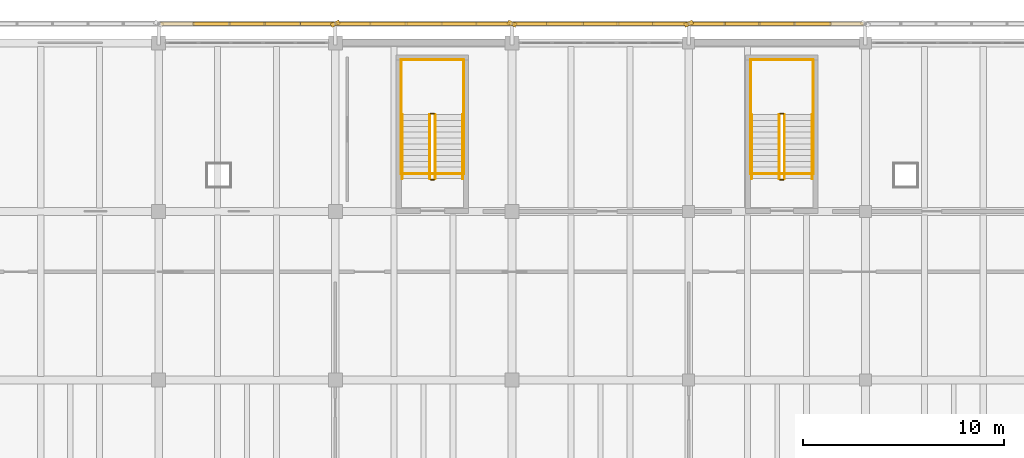
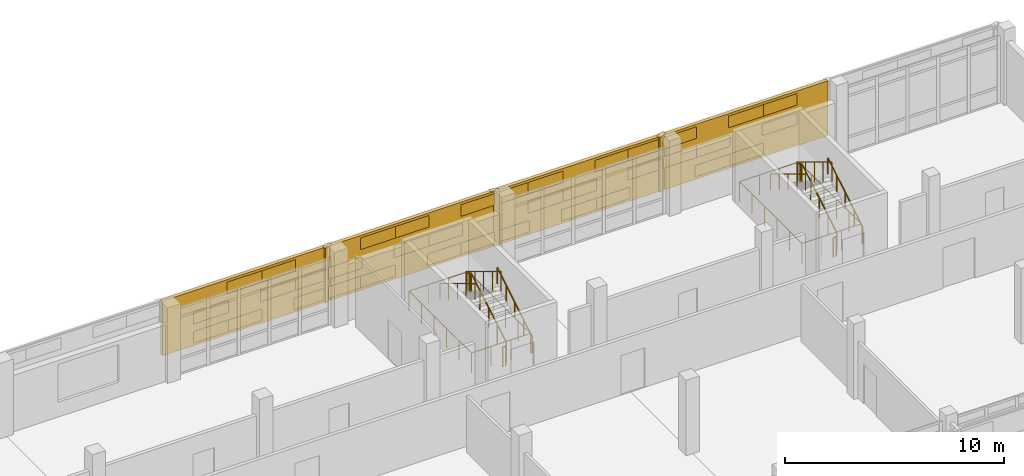
# One storey, part 134 of 137: 39 coverings, 20 railings, 4 shading devices.
"""IFC4 building model written with IfcOpenShell, lengths in metres."""

from ifc_helpers import new_model, si_unit, direction, frame, origin, origin_2d, place, context, subcontext, project, spatial, rectangle, circle, extrude, material, layer, layer_set, type_object, element, save


model = new_model("IFC4")

# Units and contexts
model_context = context("Model", 3, precision=1e-05, world=origin(), true_north=direction((0.0, 1.0)))
body_context = subcontext(model_context, "Body", "Model", "MODEL_VIEW")
ifc_project = project(units=[si_unit("LENGTHUNIT", "METRE"), si_unit("AREAUNIT", "SQUARE_METRE"), si_unit("VOLUMEUNIT", "CUBIC_METRE"), si_unit("PLANEANGLEUNIT", "RADIAN"), si_unit("MASSUNIT", "GRAM", prefix="KILO")], contexts=[model_context])

# Site, building, storey
site_placement = place(None, origin())
site = spatial("IfcSite", under=ifc_project, at=site_placement, CompositionType="ELEMENT")
building_placement = place(site_placement, origin())
building = spatial("IfcBuilding", under=site, at=building_placement, Name="Cinderway Yard Community Centre", CompositionType="ELEMENT")
storey_placement = place(building_placement, frame((0.0, 0.0, 4.800048828125)))
storey = spatial("IfcBuildingStorey", under=building, at=storey_placement, Name="L01", CompositionType="ELEMENT", Elevation=4.800048828125)

# Coverings
ifc_material_1 = material(Name="Brick Masonry", Category="masonry")
ifc_layer = layer(ifc_material_1, 0.18994140625, Name="Brick Masonry")
ifc_layer_set = layer_set([ifc_layer], Name="Brick Masonry")
covering_type = type_object("IfcCoveringType", Name="ENV-COV-BRK-SCREEN", PredefinedType="CLADDING", material=ifc_layer_set)
for number, where, z_axis, x_axis, name in (
    (1, (110.39990234375, 116.14990234375, 0.64990234375), (0.0, 0.0, 1.0), (0.913545457643, 0.406736643076, 0.0), "Deconstructivist folded brick fin 0009"),
    (2, (119.199951171875, 116.14990234375, 0.64990234375), (0.0, 0.0, 1.0), (0.913545457643, -0.406736643076, 0.0), "Deconstructivist folded brick fin 0010"),
    (3, (128.0, 116.14990234375, 0.64990234375), (0.0, 0.0, 1.0), (0.913545457643, 0.406736643076, 0.0), "Deconstructivist folded brick fin 0011"),
):
    element("IfcCovering", number, at=place(storey_placement, frame(where, z_axis=z_axis, x_axis=x_axis)), inside=storey, type_object=covering_type, Name=name, PredefinedType="CLADDING", context=body_context, shape_type="SweptSolid", body=[
        extrude(rectangle(XDim=0.4599609375, YDim=0.199951171875, at=origin_2d()), origin(), (0.0, 0.0, 1.0), 3.050048828125),
    ])
for number, where, z_axis, x_axis, name in (
    (4, (104.239990234375, 116.14990234375, 0.7900390625), (0.0, 0.0, 1.0), (1.0, 0.0, 0.0), "Open-bond perforated brick screen course 00084"),
    (5, (106.0, 116.14990234375, 0.7900390625), (0.0, 0.0, 1.0), (1.0, 0.0, 0.0), "Open-bond perforated brick screen course 00085"),
    (6, (109.52001953125, 116.14990234375, 0.7900390625), (0.0, 0.0, 1.0), (1.0, 0.0, 0.0), "Open-bond perforated brick screen course 00086"),
    (7, (104.239990234375, 116.14990234375, 1.85205078125), (0.0, 0.0, 1.0), (1.0, 0.0, 0.0), "Open-bond perforated brick screen course 00088"),
    (8, (107.760009765625, 116.14990234375, 1.85205078125), (0.0, 0.0, 1.0), (1.0, 0.0, 0.0), "Open-bond perforated brick screen course 00089"),
    (9, (109.52001953125, 116.14990234375, 1.85205078125), (0.0, 0.0, 1.0), (1.0, 0.0, 0.0), "Open-bond perforated brick screen course 00090"),
    (10, (106.0, 116.14990234375, 2.9140625), (0.0, 0.0, 1.0), (1.0, 0.0, 0.0), "Open-bond perforated brick screen course 00092"),
    (11, (107.760009765625, 116.14990234375, 2.9140625), (0.0, 0.0, 1.0), (1.0, 0.0, 0.0), "Open-bond perforated brick screen course 00093"),
    (12, (111.280029296875, 116.14990234375, 0.7900390625), (0.0, 0.0, 1.0), (1.0, 0.0, 0.0), "Open-bond perforated brick screen course 00094"),
    (13, (113.0400390625, 116.14990234375, 0.7900390625), (0.0, 0.0, 1.0), (1.0, 0.0, 0.0), "Open-bond perforated brick screen course 00095"),
    (14, (116.56005859375, 116.14990234375, 0.7900390625), (0.0, 0.0, 1.0), (1.0, 0.0, 0.0), "Open-bond perforated brick screen course 00096"),
    (15, (118.320068359375, 116.14990234375, 0.7900390625), (0.0, 0.0, 1.0), (1.0, 0.0, 0.0), "Open-bond perforated brick screen course 00097"),
    (16, (111.280029296875, 116.14990234375, 1.85205078125), (0.0, 0.0, 1.0), (1.0, 0.0, 0.0), "Open-bond perforated brick screen course 00098"),
    (17, (114.800048828125, 116.14990234375, 1.85205078125), (0.0, 0.0, 1.0), (1.0, 0.0, 0.0), "Open-bond perforated brick screen course 00099"),
    (18, (116.56005859375, 116.14990234375, 1.85205078125), (0.0, 0.0, 1.0), (1.0, 0.0, 0.0), "Open-bond perforated brick screen course 00100"),
    (19, (113.0400390625, 116.14990234375, 2.9140625), (0.0, 0.0, 1.0), (1.0, 0.0, 0.0), "Open-bond perforated brick screen course 00101"),
    (20, (114.800048828125, 116.14990234375, 2.9140625), (0.0, 0.0, 1.0), (1.0, 0.0, 0.0), "Open-bond perforated brick screen course 00102"),
    (21, (118.320068359375, 116.14990234375, 2.9140625), (0.0, 0.0, 1.0), (1.0, 0.0, 0.0), "Open-bond perforated brick screen course 00103"),
    (22, (120.080078125, 116.14990234375, 0.7900390625), (0.0, 0.0, 1.0), (1.0, 0.0, 0.0), "Open-bond perforated brick screen course 00104"),
    (23, (123.60009765625, 116.14990234375, 0.7900390625), (0.0, 0.0, 1.0), (1.0, 0.0, 0.0), "Open-bond perforated brick screen course 00105"),
    (24, (125.360107421875, 116.14990234375, 0.7900390625), (0.0, 0.0, 1.0), (1.0, 0.0, 0.0), "Open-bond perforated brick screen course 00106"),
    (25, (121.840087890625, 116.14990234375, 1.85205078125), (0.0, 0.0, 1.0), (1.0, 0.0, 0.0), "Open-bond perforated brick screen course 00107"),
    (26, (123.60009765625, 116.14990234375, 1.85205078125), (0.0, 0.0, 1.0), (1.0, 0.0, 0.0), "Open-bond perforated brick screen course 00108"),
    (27, (127.1201171875, 116.14990234375, 1.85205078125), (0.0, 0.0, 1.0), (1.0, 0.0, 0.0), "Open-bond perforated brick screen course 00109"),
    (28, (120.080078125, 116.14990234375, 2.9140625), (0.0, 0.0, 1.0), (1.0, 0.0, 0.0), "Open-bond perforated brick screen course 00110"),
    (29, (121.840087890625, 116.14990234375, 2.9140625), (0.0, 0.0, 1.0), (1.0, 0.0, 0.0), "Open-bond perforated brick screen course 00111"),
    (30, (125.360107421875, 116.14990234375, 2.9140625), (0.0, 0.0, 1.0), (1.0, 0.0, 0.0), "Open-bond perforated brick screen course 00112"),
    (31, (127.1201171875, 116.14990234375, 2.9140625), (0.0, 0.0, 1.0), (1.0, 0.0, 0.0), "Open-bond perforated brick screen course 00113"),
    (32, (130.639892578125, 116.14990234375, 0.7900390625), (0.0, 0.0, 1.0), (1.0, 0.0, 0.0), "Open-bond perforated brick screen course 00114"),
    (33, (132.39990234375, 116.14990234375, 0.7900390625), (0.0, 0.0, 1.0), (1.0, 0.0, 0.0), "Open-bond perforated brick screen course 00115"),
    (34, (128.8798828125, 116.14990234375, 1.85205078125), (0.0, 0.0, 1.0), (1.0, 0.0, 0.0), "Open-bond perforated brick screen course 00117"),
    (35, (130.639892578125, 116.14990234375, 1.85205078125), (0.0, 0.0, 1.0), (1.0, 0.0, 0.0), "Open-bond perforated brick screen course 00118"),
    (36, (134.159912109375, 116.14990234375, 1.85205078125), (0.0, 0.0, 1.0), (1.0, 0.0, 0.0), "Open-bond perforated brick screen course 00119"),
    (37, (128.8798828125, 116.14990234375, 2.9140625), (0.0, 0.0, 1.0), (1.0, 0.0, 0.0), "Open-bond perforated brick screen course 00121"),
    (38, (132.39990234375, 116.14990234375, 2.9140625), (0.0, 0.0, 1.0), (1.0, 0.0, 0.0), "Open-bond perforated brick screen course 00122"),
    (39, (134.159912109375, 116.14990234375, 2.9140625), (0.0, 0.0, 1.0), (1.0, 0.0, 0.0), "Open-bond perforated brick screen course 00123"),
):
    element("IfcCovering", number, at=place(storey_placement, frame(where, z_axis=z_axis, x_axis=x_axis)), inside=storey, type_object=covering_type, Name=name, PredefinedType="CLADDING", context=body_context, shape_type="SweptSolid", body=[
        extrude(rectangle(XDim=1.840087890625, YDim=0.18994140625, at=origin_2d()), origin(), (0.0, 0.0, 1.0), 0.64599609375),
    ])

# Shading devices
shading_device_type = type_object("IfcShadingDeviceType", Name="ENV-SHD-BRICKSCREEN-A", PredefinedType="USERDEFINED", material=ifc_material_1)
for number, where, z_axis, x_axis, name in (
    (40, (106.0, 116.14990234375, 0.64990234375), (0.0, 0.0, 1.0), (1.0, 0.0, 0.0), "Street Perforated Brick Screen 0065"),
    (41, (114.800048828125, 116.14990234375, 0.64990234375), (0.0, 0.0, 1.0), (1.0, 0.0, 0.0), "Street Perforated Brick Screen 0073"),
    (42, (123.60009765625, 116.14990234375, 0.64990234375), (0.0, 0.0, 1.0), (1.0, 0.0, 0.0), "Street Perforated Brick Screen 0081"),
    (43, (132.39990234375, 116.14990234375, 0.64990234375), (0.0, 0.0, 1.0), (1.0, 0.0, 0.0), "Street Perforated Brick Screen 0089"),
):
    element("IfcShadingDevice", number, at=place(storey_placement, frame(where, z_axis=z_axis, x_axis=x_axis)), inside=storey, type_object=shading_device_type, Name=name, ObjectType="PERFORATED BRICK SCREEN", PredefinedType="USERDEFINED", context=body_context, shape_type="SweptSolid", body=[
        extrude(rectangle(XDim=8.60009765625, YDim=0.18994140625, at=origin_2d()), origin(), (0.0, 0.0, 1.0), 3.050048828125),
    ])

# Railings
ifc_material_2 = material(Name="Painted Galvanised Steel", Category="steel")
railing_type_1 = type_object("IfcRailingType", Name="INT-RAL-GRD112", PredefinedType="GUARDRAIL", material=ifc_material_2)
railing_1_placement = place(storey_placement, frame((115.3701171875, 108.429931640625, 0.175048828125)))
element("IfcRailing", 44, at=railing_1_placement, inside=storey, type_object=railing_type_1, Name="L01 ST-03 stair guard 1", PredefinedType="GUARDRAIL", context=body_context, shape_type="SweptSolid", body=[
    extrude(circle(Radius=0.02392578125, at=origin_2d()), frame((0.0, 0.0, 1.076171875), z_axis=(0.0, 0.856224141417, 0.516604509905), x_axis=(-1.0, 0.0, 0.0)), (0.0, 0.0, 1.0), 3.725830078125),
    extrude(circle(Radius=0.02099609375, at=origin_2d()), origin(), (0.0, 0.0, 1.0), 1.052001953125),
    extrude(circle(Radius=0.02099609375, at=origin_2d()), frame((0.0, 0.797607421875, 0.481201171875)), (0.0, 0.0, 1.0), 1.052001953125),
    extrude(circle(Radius=0.02099609375, at=origin_2d()), frame((0.0, 1.59521484375, 0.96240234375)), (0.0, 0.0, 1.0), 1.052001953125),
    extrude(circle(Radius=0.02099609375, at=origin_2d()), frame((0.0, 2.392578125, 1.443603515625)), (0.0, 0.0, 1.0), 1.052001953125),
    extrude(circle(Radius=0.02099609375, at=origin_2d()), frame((0.0, 3.190185546875, 1.9248046875)), (0.0, 0.0, 1.0), 1.052001953125),
])
railing_2_placement = place(storey_placement, frame((115.320068359375, 111.669921875, 2.099853515625)))
element("IfcRailing", 45, at=railing_2_placement, inside=storey, type_object=railing_type_1, Name="L01 ST-03 stair guard 2", PredefinedType="GUARDRAIL", context=body_context, shape_type="SweptSolid", body=[
    extrude(circle(Radius=0.02392578125, at=origin_2d()), frame((0.0, 0.0, 1.076171875), z_axis=(-1.0, 0.0, 0.0), x_axis=(0.0, -1.0, 0.0)), (0.0, 0.0, 1.0), 0.16015625),
    extrude(circle(Radius=0.02099609375, at=origin_2d()), origin(), (0.0, 0.0, 1.0), 1.052001953125),
    extrude(circle(Radius=0.02099609375, at=origin_2d()), frame((-0.16015625, 0.0, 0.0)), (0.0, 0.0, 1.0), 1.052001953125),
])
railing_3_placement = place(storey_placement, frame((115.110107421875, 111.6201171875, 2.27490234375)))
element("IfcRailing", 46, at=railing_3_placement, inside=storey, type_object=railing_type_1, Name="L01 ST-03 stair guard 3", PredefinedType="GUARDRAIL", context=body_context, shape_type="SweptSolid", body=[
    extrude(circle(Radius=0.02392578125, at=origin_2d()), frame((0.0, 0.0, 1.076171875), z_axis=(0.0, -0.856195157123, 0.516652545643), x_axis=(1.0, 0.0, 0.0)), (0.0, 0.0, 1.0), 3.72607421875),
    extrude(circle(Radius=0.02099609375, at=origin_2d()), origin(), (0.0, 0.0, 1.0), 1.052001953125),
    extrude(circle(Radius=0.02099609375, at=origin_2d()), frame((0.0, -0.797607421875, 0.481201171875)), (0.0, 0.0, 1.0), 1.052001953125),
    extrude(circle(Radius=0.02099609375, at=origin_2d()), frame((0.0, -1.59521484375, 0.96240234375)), (0.0, 0.0, 1.0), 1.052001953125),
    extrude(circle(Radius=0.02099609375, at=origin_2d()), frame((0.0, -2.392578125, 1.44384765625)), (0.0, 0.0, 1.0), 1.052001953125),
    extrude(circle(Radius=0.02099609375, at=origin_2d()), frame((0.0, -3.190185546875, 1.925048828125)), (0.0, 0.0, 1.0), 1.052001953125),
])
railing_4_placement = place(storey_placement, frame((115.320068359375, 108.3798828125, 0.0)))
element("IfcRailing", 47, at=railing_4_placement, inside=storey, type_object=railing_type_1, Name="L01 ST-03 stair guard 4", PredefinedType="GUARDRAIL", context=body_context, shape_type="SweptSolid", body=[
    extrude(circle(Radius=0.02392578125, at=origin_2d()), frame((0.0, 0.0, 1.076171875), z_axis=(-1.0, 0.0, 0.0), x_axis=(0.0, -1.0, 0.0)), (0.0, 0.0, 1.0), 0.16015625),
    extrude(circle(Radius=0.02099609375, at=origin_2d()), origin(), (0.0, 0.0, 1.0), 1.052001953125),
    extrude(circle(Radius=0.02099609375, at=origin_2d()), frame((-0.16015625, 0.0, 0.0)), (0.0, 0.0, 1.0), 1.052001953125),
])
railing_5_placement = place(storey_placement, frame((132.77001953125, 108.429931640625, 0.175048828125)))
element("IfcRailing", 48, at=railing_5_placement, inside=storey, type_object=railing_type_1, Name="L01 ST-04 stair guard 1", PredefinedType="GUARDRAIL", context=body_context, shape_type="SweptSolid", body=[
    extrude(circle(Radius=0.02392578125, at=origin_2d()), frame((0.0, 0.0, 1.076171875), z_axis=(0.0, 0.856224141417, 0.516604509905), x_axis=(-1.0, 0.0, 0.0)), (0.0, 0.0, 1.0), 3.725830078125),
    extrude(circle(Radius=0.02099609375, at=origin_2d()), origin(), (0.0, 0.0, 1.0), 1.052001953125),
    extrude(circle(Radius=0.02099609375, at=origin_2d()), frame((0.0, 0.797607421875, 0.481201171875)), (0.0, 0.0, 1.0), 1.052001953125),
    extrude(circle(Radius=0.02099609375, at=origin_2d()), frame((0.0, 1.59521484375, 0.96240234375)), (0.0, 0.0, 1.0), 1.052001953125),
    extrude(circle(Radius=0.02099609375, at=origin_2d()), frame((0.0, 2.392578125, 1.443603515625)), (0.0, 0.0, 1.0), 1.052001953125),
    extrude(circle(Radius=0.02099609375, at=origin_2d()), frame((0.0, 3.190185546875, 1.9248046875)), (0.0, 0.0, 1.0), 1.052001953125),
])
railing_6_placement = place(storey_placement, frame((132.719970703125, 111.669921875, 2.099853515625)))
element("IfcRailing", 49, at=railing_6_placement, inside=storey, type_object=railing_type_1, Name="L01 ST-04 stair guard 2", PredefinedType="GUARDRAIL", context=body_context, shape_type="SweptSolid", body=[
    extrude(circle(Radius=0.02392578125, at=origin_2d()), frame((0.0, 0.0, 1.076171875), z_axis=(-1.0, 0.0, 0.0), x_axis=(0.0, -1.0, 0.0)), (0.0, 0.0, 1.0), 0.159912109375),
    extrude(circle(Radius=0.02099609375, at=origin_2d()), origin(), (0.0, 0.0, 1.0), 1.052001953125),
    extrude(circle(Radius=0.02099609375, at=origin_2d()), frame((-0.159912109375, 0.0, 0.0)), (0.0, 0.0, 1.0), 1.052001953125),
])
railing_7_placement = place(storey_placement, frame((132.510009765625, 111.6201171875, 2.27490234375)))
element("IfcRailing", 50, at=railing_7_placement, inside=storey, type_object=railing_type_1, Name="L01 ST-04 stair guard 3", PredefinedType="GUARDRAIL", context=body_context, shape_type="SweptSolid", body=[
    extrude(circle(Radius=0.02392578125, at=origin_2d()), frame((0.0, 0.0, 1.076171875), z_axis=(0.0, -0.856195157123, 0.516652545643), x_axis=(1.0, 0.0, 0.0)), (0.0, 0.0, 1.0), 3.72607421875),
    extrude(circle(Radius=0.02099609375, at=origin_2d()), origin(), (0.0, 0.0, 1.0), 1.052001953125),
    extrude(circle(Radius=0.02099609375, at=origin_2d()), frame((0.0, -0.797607421875, 0.481201171875)), (0.0, 0.0, 1.0), 1.052001953125),
    extrude(circle(Radius=0.02099609375, at=origin_2d()), frame((0.0, -1.59521484375, 0.96240234375)), (0.0, 0.0, 1.0), 1.052001953125),
    extrude(circle(Radius=0.02099609375, at=origin_2d()), frame((0.0, -2.392578125, 1.44384765625)), (0.0, 0.0, 1.0), 1.052001953125),
    extrude(circle(Radius=0.02099609375, at=origin_2d()), frame((0.0, -3.190185546875, 1.925048828125)), (0.0, 0.0, 1.0), 1.052001953125),
])
railing_8_placement = place(storey_placement, frame((132.719970703125, 108.3798828125, 0.0)))
element("IfcRailing", 51, at=railing_8_placement, inside=storey, type_object=railing_type_1, Name="L01 ST-04 stair guard 4", PredefinedType="GUARDRAIL", context=body_context, shape_type="SweptSolid", body=[
    extrude(circle(Radius=0.02392578125, at=origin_2d()), frame((0.0, 0.0, 1.076171875), z_axis=(-1.0, 0.0, 0.0), x_axis=(0.0, -1.0, 0.0)), (0.0, 0.0, 1.0), 0.159912109375),
    extrude(circle(Radius=0.02099609375, at=origin_2d()), origin(), (0.0, 0.0, 1.0), 1.052001953125),
    extrude(circle(Radius=0.02099609375, at=origin_2d()), frame((-0.159912109375, 0.0, 0.0)), (0.0, 0.0, 1.0), 1.052001953125),
])
railing_9_placement = place(storey_placement, frame((116.800048828125, 108.669921875, 0.0)))
element("IfcRailing", 52, at=railing_9_placement, inside=storey, type_object=railing_type_1, Name="Service void perimeter guard L01 099", PredefinedType="GUARDRAIL", context=body_context, shape_type="SweptSolid", body=[
    extrude(circle(Radius=0.02392578125, at=origin_2d()), frame((0.0, 0.0, 1.09619140625), z_axis=(0.0, 1.0, 0.0), x_axis=(-1.0, 0.0, 0.0)), (0.0, 0.0, 1.0), 5.68017578125),
    extrude(circle(Radius=0.02099609375, at=origin_2d()), origin(), (0.0, 0.0, 1.0), 1.072021484375),
    extrude(circle(Radius=0.02099609375, at=origin_2d()), frame((0.0, 1.135986328125, 0.0)), (0.0, 0.0, 1.0), 1.072021484375),
    extrude(circle(Radius=0.02099609375, at=origin_2d()), frame((0.0, 2.27197265625, 0.0)), (0.0, 0.0, 1.0), 1.072021484375),
    extrude(circle(Radius=0.02099609375, at=origin_2d()), frame((0.0, 3.408203125, 0.0)), (0.0, 0.0, 1.0), 1.072021484375),
    extrude(circle(Radius=0.02099609375, at=origin_2d()), frame((0.0, 4.544189453125, 0.0)), (0.0, 0.0, 1.0), 1.072021484375),
    extrude(circle(Radius=0.02099609375, at=origin_2d()), frame((0.0, 5.68017578125, 0.0)), (0.0, 0.0, 1.0), 1.072021484375),
])
railing_10_placement = place(storey_placement, frame((116.800048828125, 114.35009765625, 0.0)))
element("IfcRailing", 53, at=railing_10_placement, inside=storey, type_object=railing_type_1, Name="Service void perimeter guard L01 100", PredefinedType="GUARDRAIL", context=body_context, shape_type="SweptSolid", body=[
    extrude(circle(Radius=0.02392578125, at=origin_2d()), frame((0.0, 0.0, 1.09619140625), z_axis=(-1.0, 0.0, 0.0), x_axis=(0.0, -1.0, 0.0)), (0.0, 0.0, 1.0), 3.1201171875),
    extrude(circle(Radius=0.02099609375, at=origin_2d()), origin(), (0.0, 0.0, 1.0), 1.072021484375),
    extrude(circle(Radius=0.02099609375, at=origin_2d()), frame((-1.0400390625, 0.0, 0.0)), (0.0, 0.0, 1.0), 1.072021484375),
    extrude(circle(Radius=0.02099609375, at=origin_2d()), frame((-2.080078125, 0.0, 0.0)), (0.0, 0.0, 1.0), 1.072021484375),
    extrude(circle(Radius=0.02099609375, at=origin_2d()), frame((-3.1201171875, 0.0, 0.0)), (0.0, 0.0, 1.0), 1.072021484375),
])
railing_11_placement = place(storey_placement, frame((113.679931640625, 114.35009765625, 0.0)))
element("IfcRailing", 54, at=railing_11_placement, inside=storey, type_object=railing_type_1, Name="Service void perimeter guard L01 101", PredefinedType="GUARDRAIL", context=body_context, shape_type="SweptSolid", body=[
    extrude(circle(Radius=0.02392578125, at=origin_2d()), frame((0.0, 0.0, 1.09619140625), z_axis=(0.0, -1.0, 0.0), x_axis=(1.0, 0.0, 0.0)), (0.0, 0.0, 1.0), 5.68017578125),
    extrude(circle(Radius=0.02099609375, at=origin_2d()), origin(), (0.0, 0.0, 1.0), 1.072021484375),
    extrude(circle(Radius=0.02099609375, at=origin_2d()), frame((0.0, -1.135986328125, 0.0)), (0.0, 0.0, 1.0), 1.072021484375),
    extrude(circle(Radius=0.02099609375, at=origin_2d()), frame((0.0, -2.27197265625, 0.0)), (0.0, 0.0, 1.0), 1.072021484375),
    extrude(circle(Radius=0.02099609375, at=origin_2d()), frame((0.0, -3.408203125, 0.0)), (0.0, 0.0, 1.0), 1.072021484375),
    extrude(circle(Radius=0.02099609375, at=origin_2d()), frame((0.0, -4.544189453125, 0.0)), (0.0, 0.0, 1.0), 1.072021484375),
    extrude(circle(Radius=0.02099609375, at=origin_2d()), frame((0.0, -5.68017578125, 0.0)), (0.0, 0.0, 1.0), 1.072021484375),
])
railing_12_placement = place(storey_placement, frame((113.679931640625, 108.669921875, 0.0)))
element("IfcRailing", 55, at=railing_12_placement, inside=storey, type_object=railing_type_1, Name="Service void perimeter guard L01 102", PredefinedType="GUARDRAIL", context=body_context, shape_type="SweptSolid", body=[
    extrude(circle(Radius=0.02392578125, at=origin_2d()), frame((0.0, 0.0, 1.09619140625), z_axis=(1.0, 0.0, 0.0), x_axis=(0.0, 1.0, 0.0)), (0.0, 0.0, 1.0), 3.1201171875),
    extrude(circle(Radius=0.02099609375, at=origin_2d()), origin(), (0.0, 0.0, 1.0), 1.072021484375),
    extrude(circle(Radius=0.02099609375, at=origin_2d()), frame((1.0400390625, 0.0, 0.0)), (0.0, 0.0, 1.0), 1.072021484375),
    extrude(circle(Radius=0.02099609375, at=origin_2d()), frame((2.080078125, 0.0, 0.0)), (0.0, 0.0, 1.0), 1.072021484375),
    extrude(circle(Radius=0.02099609375, at=origin_2d()), frame((3.1201171875, 0.0, 0.0)), (0.0, 0.0, 1.0), 1.072021484375),
])
railing_13_placement = place(storey_placement, frame((134.199951171875, 108.669921875, 0.0)))
element("IfcRailing", 56, at=railing_13_placement, inside=storey, type_object=railing_type_1, Name="Service void perimeter guard L01 107", PredefinedType="GUARDRAIL", context=body_context, shape_type="SweptSolid", body=[
    extrude(circle(Radius=0.02392578125, at=origin_2d()), frame((0.0, 0.0, 1.09619140625), z_axis=(0.0, 1.0, 0.0), x_axis=(-1.0, 0.0, 0.0)), (0.0, 0.0, 1.0), 5.68017578125),
    extrude(circle(Radius=0.02099609375, at=origin_2d()), origin(), (0.0, 0.0, 1.0), 1.072021484375),
    extrude(circle(Radius=0.02099609375, at=origin_2d()), frame((0.0, 1.135986328125, 0.0)), (0.0, 0.0, 1.0), 1.072021484375),
    extrude(circle(Radius=0.02099609375, at=origin_2d()), frame((0.0, 2.27197265625, 0.0)), (0.0, 0.0, 1.0), 1.072021484375),
    extrude(circle(Radius=0.02099609375, at=origin_2d()), frame((0.0, 3.408203125, 0.0)), (0.0, 0.0, 1.0), 1.072021484375),
    extrude(circle(Radius=0.02099609375, at=origin_2d()), frame((0.0, 4.544189453125, 0.0)), (0.0, 0.0, 1.0), 1.072021484375),
    extrude(circle(Radius=0.02099609375, at=origin_2d()), frame((0.0, 5.68017578125, 0.0)), (0.0, 0.0, 1.0), 1.072021484375),
])
railing_14_placement = place(storey_placement, frame((134.199951171875, 114.35009765625, 0.0)))
element("IfcRailing", 57, at=railing_14_placement, inside=storey, type_object=railing_type_1, Name="Service void perimeter guard L01 108", PredefinedType="GUARDRAIL", context=body_context, shape_type="SweptSolid", body=[
    extrude(circle(Radius=0.02392578125, at=origin_2d()), frame((0.0, 0.0, 1.09619140625), z_axis=(-1.0, 0.0, 0.0), x_axis=(0.0, -1.0, 0.0)), (0.0, 0.0, 1.0), 3.119873046875),
    extrude(circle(Radius=0.02099609375, at=origin_2d()), origin(), (0.0, 0.0, 1.0), 1.072021484375),
    extrude(circle(Radius=0.02099609375, at=origin_2d()), frame((-1.0400390625, 0.0, 0.0)), (0.0, 0.0, 1.0), 1.072021484375),
    extrude(circle(Radius=0.02099609375, at=origin_2d()), frame((-2.079833984375, 0.0, 0.0)), (0.0, 0.0, 1.0), 1.072021484375),
    extrude(circle(Radius=0.02099609375, at=origin_2d()), frame((-3.119873046875, 0.0, 0.0)), (0.0, 0.0, 1.0), 1.072021484375),
])
railing_15_placement = place(storey_placement, frame((131.080078125, 114.35009765625, 0.0)))
element("IfcRailing", 58, at=railing_15_placement, inside=storey, type_object=railing_type_1, Name="Service void perimeter guard L01 109", PredefinedType="GUARDRAIL", context=body_context, shape_type="SweptSolid", body=[
    extrude(circle(Radius=0.02392578125, at=origin_2d()), frame((0.0, 0.0, 1.09619140625), z_axis=(0.0, -1.0, 0.0), x_axis=(1.0, 0.0, 0.0)), (0.0, 0.0, 1.0), 5.68017578125),
    extrude(circle(Radius=0.02099609375, at=origin_2d()), origin(), (0.0, 0.0, 1.0), 1.072021484375),
    extrude(circle(Radius=0.02099609375, at=origin_2d()), frame((0.0, -1.135986328125, 0.0)), (0.0, 0.0, 1.0), 1.072021484375),
    extrude(circle(Radius=0.02099609375, at=origin_2d()), frame((0.0, -2.27197265625, 0.0)), (0.0, 0.0, 1.0), 1.072021484375),
    extrude(circle(Radius=0.02099609375, at=origin_2d()), frame((0.0, -3.408203125, 0.0)), (0.0, 0.0, 1.0), 1.072021484375),
    extrude(circle(Radius=0.02099609375, at=origin_2d()), frame((0.0, -4.544189453125, 0.0)), (0.0, 0.0, 1.0), 1.072021484375),
    extrude(circle(Radius=0.02099609375, at=origin_2d()), frame((0.0, -5.68017578125, 0.0)), (0.0, 0.0, 1.0), 1.072021484375),
])
railing_16_placement = place(storey_placement, frame((131.080078125, 108.669921875, 0.0)))
element("IfcRailing", 59, at=railing_16_placement, inside=storey, type_object=railing_type_1, Name="Service void perimeter guard L01 110", PredefinedType="GUARDRAIL", context=body_context, shape_type="SweptSolid", body=[
    extrude(circle(Radius=0.02392578125, at=origin_2d()), frame((0.0, 0.0, 1.09619140625), z_axis=(1.0, 0.0, 0.0), x_axis=(0.0, 1.0, 0.0)), (0.0, 0.0, 1.0), 3.119873046875),
    extrude(circle(Radius=0.02099609375, at=origin_2d()), origin(), (0.0, 0.0, 1.0), 1.072021484375),
    extrude(circle(Radius=0.02099609375, at=origin_2d()), frame((1.0400390625, 0.0, 0.0)), (0.0, 0.0, 1.0), 1.072021484375),
    extrude(circle(Radius=0.02099609375, at=origin_2d()), frame((2.079833984375, 0.0, 0.0)), (0.0, 0.0, 1.0), 1.072021484375),
    extrude(circle(Radius=0.02099609375, at=origin_2d()), frame((3.119873046875, 0.0, 0.0)), (0.0, 0.0, 1.0), 1.072021484375),
])
railing_type_2 = type_object("IfcRailingType", Name="INT-RAL-HND090", PredefinedType="HANDRAIL", material=ifc_material_2)
railing_17_placement = place(storey_placement, frame((116.75, 108.429931640625, 0.175048828125)))
element("IfcRailing", 60, at=railing_17_placement, inside=storey, type_object=railing_type_2, Name="L01 ST-03 stair handrail 1", PredefinedType="HANDRAIL", context=body_context, shape_type="SweptSolid", body=[
    extrude(circle(Radius=0.02392578125, at=origin_2d()), frame((0.0, 0.0, 0.8759765625), z_axis=(0.0, 0.856224141417, 0.516604509905), x_axis=(-1.0, 0.0, 0.0)), (0.0, 0.0, 1.0), 3.725830078125),
    extrude(circle(Radius=0.02099609375, at=origin_2d()), origin(), (0.0, 0.0, 1.0), 0.851806640625),
    extrude(circle(Radius=0.02099609375, at=origin_2d()), frame((0.0, 0.797607421875, 0.481201171875)), (0.0, 0.0, 1.0), 0.851806640625),
    extrude(circle(Radius=0.02099609375, at=origin_2d()), frame((0.0, 1.59521484375, 0.96240234375)), (0.0, 0.0, 1.0), 0.851806640625),
    extrude(circle(Radius=0.02099609375, at=origin_2d()), frame((0.0, 2.392578125, 1.443603515625)), (0.0, 0.0, 1.0), 0.851806640625),
    extrude(circle(Radius=0.02099609375, at=origin_2d()), frame((0.0, 3.190185546875, 1.9248046875)), (0.0, 0.0, 1.0), 0.851806640625),
])
railing_18_placement = place(storey_placement, frame((113.72998046875, 111.6201171875, 2.27490234375)))
element("IfcRailing", 61, at=railing_18_placement, inside=storey, type_object=railing_type_2, Name="L01 ST-03 stair handrail 2", PredefinedType="HANDRAIL", context=body_context, shape_type="SweptSolid", body=[
    extrude(circle(Radius=0.02392578125, at=origin_2d()), frame((0.0, 0.0, 0.8759765625), z_axis=(0.0, -0.856195157123, 0.516652545643), x_axis=(1.0, 0.0, 0.0)), (0.0, 0.0, 1.0), 3.72607421875),
    extrude(circle(Radius=0.02099609375, at=origin_2d()), origin(), (0.0, 0.0, 1.0), 0.851806640625),
    extrude(circle(Radius=0.02099609375, at=origin_2d()), frame((0.0, -0.797607421875, 0.481201171875)), (0.0, 0.0, 1.0), 0.851806640625),
    extrude(circle(Radius=0.02099609375, at=origin_2d()), frame((0.0, -1.59521484375, 0.96240234375)), (0.0, 0.0, 1.0), 0.851806640625),
    extrude(circle(Radius=0.02099609375, at=origin_2d()), frame((0.0, -2.392578125, 1.44384765625)), (0.0, 0.0, 1.0), 0.851806640625),
    extrude(circle(Radius=0.02099609375, at=origin_2d()), frame((0.0, -3.190185546875, 1.925048828125)), (0.0, 0.0, 1.0), 0.851806640625),
])
railing_19_placement = place(storey_placement, frame((134.14990234375, 108.429931640625, 0.175048828125)))
element("IfcRailing", 62, at=railing_19_placement, inside=storey, type_object=railing_type_2, Name="L01 ST-04 stair handrail 1", PredefinedType="HANDRAIL", context=body_context, shape_type="SweptSolid", body=[
    extrude(circle(Radius=0.02392578125, at=origin_2d()), frame((0.0, 0.0, 0.8759765625), z_axis=(0.0, 0.856224141417, 0.516604509905), x_axis=(-1.0, 0.0, 0.0)), (0.0, 0.0, 1.0), 3.725830078125),
    extrude(circle(Radius=0.02099609375, at=origin_2d()), origin(), (0.0, 0.0, 1.0), 0.851806640625),
    extrude(circle(Radius=0.02099609375, at=origin_2d()), frame((0.0, 0.797607421875, 0.481201171875)), (0.0, 0.0, 1.0), 0.851806640625),
    extrude(circle(Radius=0.02099609375, at=origin_2d()), frame((0.0, 1.59521484375, 0.96240234375)), (0.0, 0.0, 1.0), 0.851806640625),
    extrude(circle(Radius=0.02099609375, at=origin_2d()), frame((0.0, 2.392578125, 1.443603515625)), (0.0, 0.0, 1.0), 0.851806640625),
    extrude(circle(Radius=0.02099609375, at=origin_2d()), frame((0.0, 3.190185546875, 1.9248046875)), (0.0, 0.0, 1.0), 0.851806640625),
])
railing_20_placement = place(storey_placement, frame((131.1298828125, 111.6201171875, 2.27490234375)))
element("IfcRailing", 63, at=railing_20_placement, inside=storey, type_object=railing_type_2, Name="L01 ST-04 stair handrail 2", PredefinedType="HANDRAIL", context=body_context, shape_type="SweptSolid", body=[
    extrude(circle(Radius=0.02392578125, at=origin_2d()), frame((0.0, 0.0, 0.8759765625), z_axis=(0.0, -0.856195157123, 0.516652545643), x_axis=(1.0, 0.0, 0.0)), (0.0, 0.0, 1.0), 3.72607421875),
    extrude(circle(Radius=0.02099609375, at=origin_2d()), origin(), (0.0, 0.0, 1.0), 0.851806640625),
    extrude(circle(Radius=0.02099609375, at=origin_2d()), frame((0.0, -0.797607421875, 0.481201171875)), (0.0, 0.0, 1.0), 0.851806640625),
    extrude(circle(Radius=0.02099609375, at=origin_2d()), frame((0.0, -1.59521484375, 0.96240234375)), (0.0, 0.0, 1.0), 0.851806640625),
    extrude(circle(Radius=0.02099609375, at=origin_2d()), frame((0.0, -2.392578125, 1.44384765625)), (0.0, 0.0, 1.0), 0.851806640625),
    extrude(circle(Radius=0.02099609375, at=origin_2d()), frame((0.0, -3.190185546875, 1.925048828125)), (0.0, 0.0, 1.0), 0.851806640625),
])

save(model, "model.ifc")
